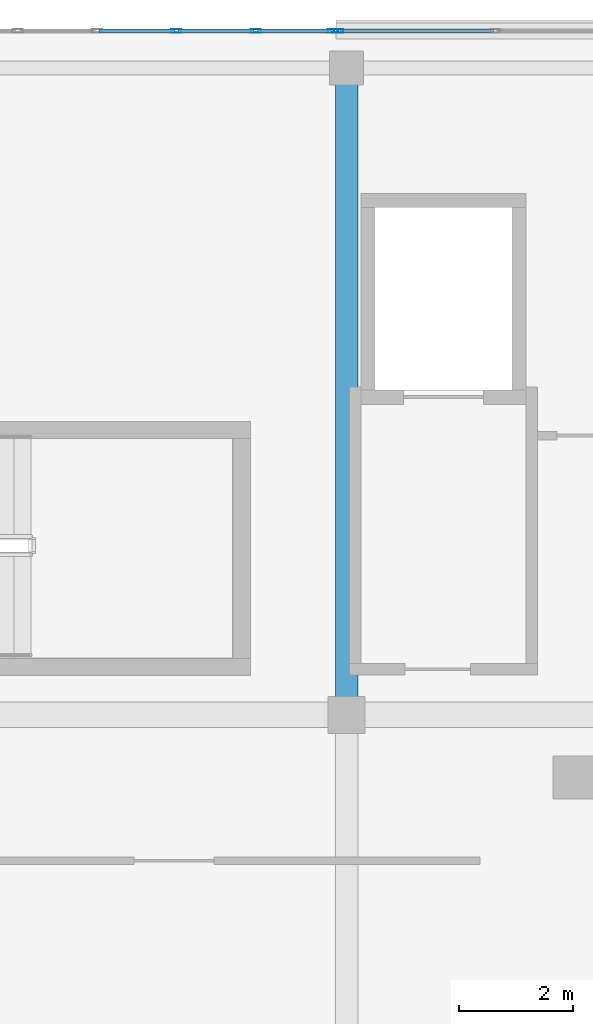
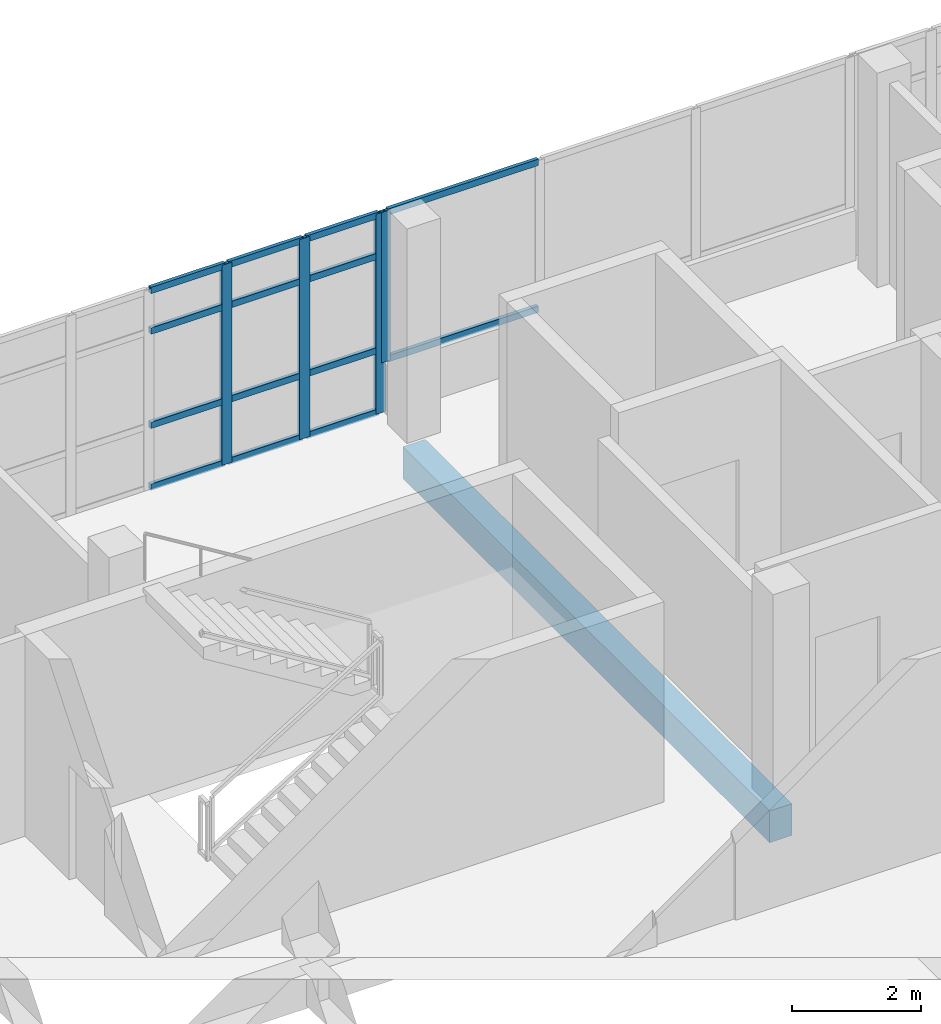
# One storey, part 38 of 76: 18 members, 1 beam, 2 elements without a shape of their own.
"""IFC4 building model written with IfcOpenShell, lengths in metres."""

from ifc_helpers import new_model, si_unit, direction, frame, origin, origin_2d, place, context, subcontext, project, spatial, rectangle, hollow_rectangle, extrude, material, material_profile, profile_set, type_object, element, aggregate, save


model = new_model("IFC4")

# Units and contexts
model_context = context("Model", 3, precision=1e-05, world=origin(), true_north=direction((0.0, 1.0)))
body_context = subcontext(model_context, "Body", "Model", "MODEL_VIEW")
ifc_project = project(units=[si_unit("LENGTHUNIT", "METRE"), si_unit("AREAUNIT", "SQUARE_METRE"), si_unit("VOLUMEUNIT", "CUBIC_METRE"), si_unit("PLANEANGLEUNIT", "RADIAN"), si_unit("MASSUNIT", "GRAM", prefix="KILO")], contexts=[model_context])

# Site, building, storey
site_placement = place(None, origin())
site = spatial("IfcSite", under=ifc_project, at=site_placement, CompositionType="ELEMENT")
building_placement = place(site_placement, origin())
building = spatial("IfcBuilding", under=site, at=building_placement, Name="Selatvlak General Hospital", CompositionType="ELEMENT")
storey_placement = place(building_placement, frame((0.0, 0.0, 27.300048828125)))
storey = spatial("IfcBuildingStorey", under=building, at=storey_placement, Name="L06", CompositionType="ELEMENT", Elevation=27.300048828125)

# Beam
ifc_material_1 = material(Name="Concrete C40/50", Category="concrete")
ifc_material_profile_1 = material_profile(ifc_material_1, rectangle(XDim=0.39990234375, YDim=0.60009765625, at=origin_2d()), Name="RC-BM 400x600")
ifc_profile_set_1 = profile_set([ifc_material_profile_1], Name="Concrete C40/50")
beam_type = type_object("IfcBeamType", Name="BM-G05", PredefinedType="BEAM", material=ifc_profile_set_1)
beam_placement = place(storey_placement, frame((98.39990234375, 108.0, -0.574951171875), z_axis=(0.0, 1.0, 0.0), x_axis=(-1.0, 0.0, 0.0)))
element("IfcBeam", 1, at=beam_placement, inside=storey, type_object=beam_type, Name="Beam BMR-L06-2292", PredefinedType="BEAM", context=body_context, shape_type="SweptSolid", body=[
    extrude(rectangle(XDim=0.39990234375, YDim=0.60009765625, at=origin_2d()), origin(), (0.0, 0.0, 1.0), 11.35009765625),
])

# Curtain wall, member
ifc_material_2 = material(Name="Solar-control Low-E double glazing", Category="glass")
curtain_wall_type_1 = type_object("IfcCurtainWallType", Name="CW-CW-01", PredefinedType="USERDEFINED", material=ifc_material_2)
curtain_wall_1_placement = place(storey_placement, origin())
curtain_wall_1 = element("IfcCurtainWall", 2, at=curtain_wall_1_placement, inside=storey, type_object=curtain_wall_type_1, Name="Glazed facade curtain wall CW-L06-0607", ObjectType="UNITISED CURTAIN WALL", PredefinedType="USERDEFINED")
ifc_material_3 = material(Name="Dark anodised aluminium mullion", Category="aluminium")
ifc_material_profile_2 = material_profile(ifc_material_3, hollow_rectangle(XDim=0.06494140625, YDim=0.159912109375, WallThickness=0.00390625, at=origin_2d()), Name="AL-MUL 65x160x4")
ifc_profile_set_2 = profile_set([ifc_material_profile_2], Name="Dark anodised aluminium mullion")
member_type_1 = type_object("IfcMemberType", Name="CWM-01", PredefinedType="MULLION", material=ifc_profile_set_2)
member_1_placement = place(storey_placement, frame((98.257568359375, 119.9990234375, 0.93994140625), z_axis=(0.0, 0.0, 1.0), x_axis=(-0.000119774825, 0.999999992827, 0.0)))
member_1 = element("IfcMember", 3, at=member_1_placement, type_object=member_type_1, Name="CW-01 mullion 1", PredefinedType="MULLION", context=body_context, shape_type="SweptSolid", body=[
    extrude(hollow_rectangle(XDim=0.06494140625, YDim=0.159912109375, WallThickness=0.00390625, at=origin_2d()), origin(), (0.0, 0.0, 1.0), 2.840087890625),
])

# Curtain wall, members
curtain_wall_type_2 = type_object("IfcCurtainWallType", Name="CW-CW-04", PredefinedType="USERDEFINED", material=ifc_material_2)
curtain_wall_2_placement = place(storey_placement, origin())
curtain_wall_2 = element("IfcCurtainWall", 4, at=curtain_wall_2_placement, inside=storey, type_object=curtain_wall_type_2, Name="Glazed facade curtain wall CW-L06-0606", ObjectType="STICK GLAZING WALL", PredefinedType="USERDEFINED")
ifc_material_profile_3 = material_profile(ifc_material_3, hollow_rectangle(XDim=0.06494140625, YDim=0.179931640625, WallThickness=0.00439453125, at=origin_2d()), Name="AL-MUL 65x180x4.5")
ifc_profile_set_3 = profile_set([ifc_material_profile_3], Name="Dark anodised aluminium mullion")
member_type_2 = type_object("IfcMemberType", Name="CWM-02", PredefinedType="MULLION", material=ifc_profile_set_3)
member_2_placement = place(storey_placement, frame((95.412109375, 119.9990234375, 0.0), z_axis=(0.0, 0.0, 1.0), x_axis=(0.0, 1.0, 0.0)))
member_2 = element("IfcMember", 5, at=member_2_placement, type_object=member_type_2, Name="CW-04 mullion 5", PredefinedType="MULLION", context=body_context, shape_type="SweptSolid", body=[
    extrude(hollow_rectangle(XDim=0.06494140625, YDim=0.179931640625, WallThickness=0.00439453125, at=origin_2d()), origin(), (0.0, 0.0, 1.0), 3.780029296875),
])
member_3_placement = place(storey_placement, frame((96.803466796875, 119.9990234375, 0.0), z_axis=(0.0, 0.0, 1.0), x_axis=(0.0, 1.0, 0.0)))
member_3 = element("IfcMember", 6, at=member_3_placement, type_object=member_type_2, Name="CW-04 mullion 6", PredefinedType="MULLION", context=body_context, shape_type="SweptSolid", body=[
    extrude(hollow_rectangle(XDim=0.06494140625, YDim=0.179931640625, WallThickness=0.00439453125, at=origin_2d()), origin(), (0.0, 0.0, 1.0), 3.780029296875),
])
member_4_placement = place(storey_placement, frame((98.16259765625, 119.9990234375, 0.0), z_axis=(0.0, 0.0, 1.0), x_axis=(0.0, 1.0, 0.0)))
member_4 = element("IfcMember", 7, at=member_4_placement, type_object=member_type_2, Name="CW-04 mullion 7", PredefinedType="MULLION", context=body_context, shape_type="SweptSolid", body=[
    extrude(hollow_rectangle(XDim=0.06494140625, YDim=0.179931640625, WallThickness=0.00439453125, at=origin_2d()), origin(), (0.0, 0.0, 1.0), 3.780029296875),
])
ifc_material_profile_4 = material_profile(ifc_material_3, hollow_rectangle(XDim=0.06494140625, YDim=0.1201171875, WallThickness=0.00390625, at=origin_2d()), Name="AL-TRN 65x120x4")
ifc_profile_set_4 = profile_set([ifc_material_profile_4], Name="Dark anodised aluminium mullion")
member_type_3 = type_object("IfcMemberType", Name="CWT-01", PredefinedType="USERDEFINED", material=ifc_profile_set_4)
member_5_placement = place(storey_placement, frame((94.052978515625, 119.9990234375, 0.032470703125), z_axis=(1.0, 0.0, 0.0), x_axis=(0.0, 1.0, 0.0)))
member_5 = element("IfcMember", 8, at=member_5_placement, type_object=member_type_3, Name="CW-04 transom 4.1", ObjectType="TRANSOM", PredefinedType="USERDEFINED", context=body_context, shape_type="SweptSolid", body=[
    extrude(hollow_rectangle(XDim=0.06494140625, YDim=0.1201171875, WallThickness=0.00390625, at=origin_2d()), origin(), (0.0, 0.0, 1.0), 1.326416015625),
])
member_6_placement = place(storey_placement, frame((94.052978515625, 119.9990234375, 1.199951171875), z_axis=(1.0, 0.0, 0.0), x_axis=(0.0, 1.0, 0.0)))
member_6 = element("IfcMember", 9, at=member_6_placement, type_object=member_type_3, Name="CW-04 transom 4.2", ObjectType="TRANSOM", PredefinedType="USERDEFINED", context=body_context, shape_type="SweptSolid", body=[
    extrude(hollow_rectangle(XDim=0.06494140625, YDim=0.1201171875, WallThickness=0.00390625, at=origin_2d()), origin(), (0.0, 0.0, 1.0), 1.326416015625),
])
member_7_placement = place(storey_placement, frame((94.052978515625, 119.9990234375, 2.97998046875), z_axis=(1.0, 0.0, 0.0), x_axis=(0.0, 1.0, 0.0)))
member_7 = element("IfcMember", 10, at=member_7_placement, type_object=member_type_3, Name="CW-04 transom 4.3", ObjectType="TRANSOM", PredefinedType="USERDEFINED", context=body_context, shape_type="SweptSolid", body=[
    extrude(hollow_rectangle(XDim=0.06494140625, YDim=0.1201171875, WallThickness=0.00390625, at=origin_2d()), origin(), (0.0, 0.0, 1.0), 1.326416015625),
])
member_8_placement = place(storey_placement, frame((94.052978515625, 119.9990234375, 3.74755859375), z_axis=(1.0, 0.0, 0.0), x_axis=(0.0, 1.0, 0.0)))
member_8 = element("IfcMember", 11, at=member_8_placement, type_object=member_type_3, Name="CW-04 transom 4.4", ObjectType="TRANSOM", PredefinedType="USERDEFINED", context=body_context, shape_type="SweptSolid", body=[
    extrude(hollow_rectangle(XDim=0.06494140625, YDim=0.1201171875, WallThickness=0.00390625, at=origin_2d()), origin(), (0.0, 0.0, 1.0), 1.326416015625),
])
member_9_placement = place(storey_placement, frame((95.444580078125, 119.9990234375, 0.032470703125), z_axis=(1.0, 0.0, 0.0), x_axis=(0.0, 1.0, 0.0)))
member_9 = element("IfcMember", 12, at=member_9_placement, type_object=member_type_3, Name="CW-04 transom 5.1", ObjectType="TRANSOM", PredefinedType="USERDEFINED", context=body_context, shape_type="SweptSolid", body=[
    extrude(hollow_rectangle(XDim=0.06494140625, YDim=0.1201171875, WallThickness=0.00390625, at=origin_2d()), origin(), (0.0, 0.0, 1.0), 1.326416015625),
])
member_10_placement = place(storey_placement, frame((95.444580078125, 119.9990234375, 1.199951171875), z_axis=(1.0, 0.0, 0.0), x_axis=(0.0, 1.0, 0.0)))
member_10 = element("IfcMember", 13, at=member_10_placement, type_object=member_type_3, Name="CW-04 transom 5.2", ObjectType="TRANSOM", PredefinedType="USERDEFINED", context=body_context, shape_type="SweptSolid", body=[
    extrude(hollow_rectangle(XDim=0.06494140625, YDim=0.1201171875, WallThickness=0.00390625, at=origin_2d()), origin(), (0.0, 0.0, 1.0), 1.326416015625),
])
member_11_placement = place(storey_placement, frame((95.444580078125, 119.9990234375, 2.97998046875), z_axis=(1.0, 0.0, 0.0), x_axis=(0.0, 1.0, 0.0)))
member_11 = element("IfcMember", 14, at=member_11_placement, type_object=member_type_3, Name="CW-04 transom 5.3", ObjectType="TRANSOM", PredefinedType="USERDEFINED", context=body_context, shape_type="SweptSolid", body=[
    extrude(hollow_rectangle(XDim=0.06494140625, YDim=0.1201171875, WallThickness=0.00390625, at=origin_2d()), origin(), (0.0, 0.0, 1.0), 1.326416015625),
])
member_12_placement = place(storey_placement, frame((95.444580078125, 119.9990234375, 3.74755859375), z_axis=(1.0, 0.0, 0.0), x_axis=(0.0, 1.0, 0.0)))
member_12 = element("IfcMember", 15, at=member_12_placement, type_object=member_type_3, Name="CW-04 transom 5.4", ObjectType="TRANSOM", PredefinedType="USERDEFINED", context=body_context, shape_type="SweptSolid", body=[
    extrude(hollow_rectangle(XDim=0.06494140625, YDim=0.1201171875, WallThickness=0.00390625, at=origin_2d()), origin(), (0.0, 0.0, 1.0), 1.326416015625),
])
member_13_placement = place(storey_placement, frame((96.8359375, 119.9990234375, 0.032470703125), z_axis=(1.0, 0.0, 0.0), x_axis=(0.0, 1.0, 0.0)))
member_13 = element("IfcMember", 16, at=member_13_placement, type_object=member_type_3, Name="CW-04 transom 6.1", ObjectType="TRANSOM", PredefinedType="USERDEFINED", context=body_context, shape_type="SweptSolid", body=[
    extrude(hollow_rectangle(XDim=0.06494140625, YDim=0.1201171875, WallThickness=0.00390625, at=origin_2d()), origin(), (0.0, 0.0, 1.0), 1.2939453125),
])
member_14_placement = place(storey_placement, frame((96.8359375, 119.9990234375, 1.199951171875), z_axis=(1.0, 0.0, 0.0), x_axis=(0.0, 1.0, 0.0)))
member_14 = element("IfcMember", 17, at=member_14_placement, type_object=member_type_3, Name="CW-04 transom 6.2", ObjectType="TRANSOM", PredefinedType="USERDEFINED", context=body_context, shape_type="SweptSolid", body=[
    extrude(hollow_rectangle(XDim=0.06494140625, YDim=0.1201171875, WallThickness=0.00390625, at=origin_2d()), origin(), (0.0, 0.0, 1.0), 1.2939453125),
])
member_15_placement = place(storey_placement, frame((96.8359375, 119.9990234375, 2.97998046875), z_axis=(1.0, 0.0, 0.0), x_axis=(0.0, 1.0, 0.0)))
member_15 = element("IfcMember", 18, at=member_15_placement, type_object=member_type_3, Name="CW-04 transom 6.3", ObjectType="TRANSOM", PredefinedType="USERDEFINED", context=body_context, shape_type="SweptSolid", body=[
    extrude(hollow_rectangle(XDim=0.06494140625, YDim=0.1201171875, WallThickness=0.00390625, at=origin_2d()), origin(), (0.0, 0.0, 1.0), 1.2939453125),
])
member_16_placement = place(storey_placement, frame((96.8359375, 119.9990234375, 3.74755859375), z_axis=(1.0, 0.0, 0.0), x_axis=(0.0, 1.0, 0.0)))
member_16 = element("IfcMember", 19, at=member_16_placement, type_object=member_type_3, Name="CW-04 transom 6.4", ObjectType="TRANSOM", PredefinedType="USERDEFINED", context=body_context, shape_type="SweptSolid", body=[
    extrude(hollow_rectangle(XDim=0.06494140625, YDim=0.1201171875, WallThickness=0.00390625, at=origin_2d()), origin(), (0.0, 0.0, 1.0), 1.2939453125),
])
aggregate(curtain_wall_2, [member_2, member_3, member_4, member_5, member_6, member_7, member_8, member_9, member_10, member_11, member_12, member_13, member_14, member_15, member_16])

# Member
member_17_placement = place(storey_placement, frame((98.2900390625, 119.9990234375, 0.972412109375), z_axis=(0.999999995868, 9.0909091e-05, 0.0), x_axis=(-9.0909091e-05, 0.999999995868, 0.0)))
member_17 = element("IfcMember", 20, at=member_17_placement, type_object=member_type_3, Name="CW-01 transom 1.1", ObjectType="TRANSOM", PredefinedType="USERDEFINED", context=body_context, shape_type="SweptSolid", body=[
    extrude(hollow_rectangle(XDim=0.06494140625, YDim=0.1201171875, WallThickness=0.00390625, at=origin_2d()), origin(), (0.0, 0.0, 1.0), 2.685546875),
])

member_18_placement = place(storey_placement, frame((98.2900390625, 119.9990234375, 3.74755859375), z_axis=(0.999999995868, 9.0909091e-05, 0.0), x_axis=(-9.0909091e-05, 0.999999995868, 0.0)))
member_18 = element("IfcMember", 21, at=member_18_placement, type_object=member_type_3, Name="CW-01 transom 1.2", ObjectType="TRANSOM", PredefinedType="USERDEFINED", context=body_context, shape_type="SweptSolid", body=[
    extrude(hollow_rectangle(XDim=0.06494140625, YDim=0.1201171875, WallThickness=0.00390625, at=origin_2d()), origin(), (0.0, 0.0, 1.0), 2.685546875),
])

aggregate(curtain_wall_1, [member_1, member_17, member_18])

save(model, "model.ifc")
